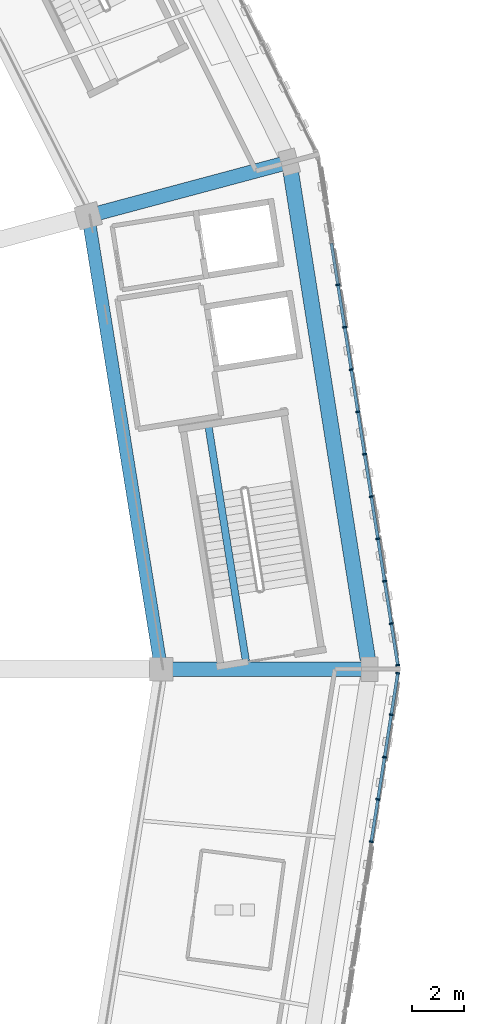
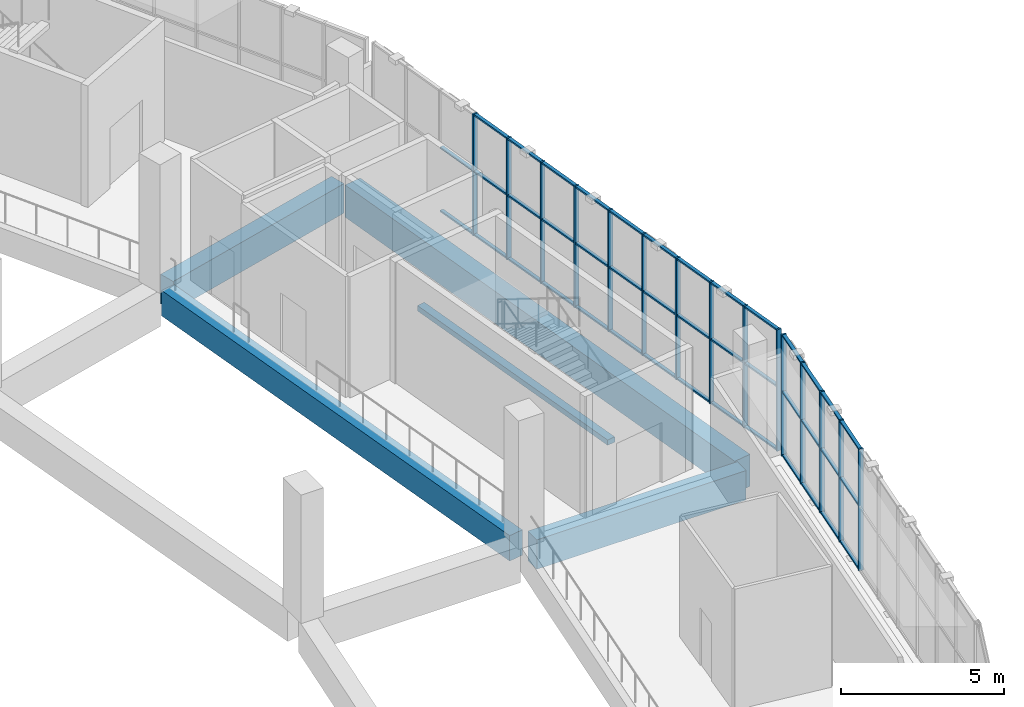
# One storey, part 29 of 108: 56 members, 5 beams, 2 elements without a shape of their own.
"""IFC4 building model written with IfcOpenShell, lengths in metres."""

import ifcopenshell
import ifcopenshell.guid

model = None  # the IFC model being written
_history = None  # IfcOwnerHistory: only IFC2X3 demands one
_inside = {}  # id of a spatial element -> (the spatial element, [elements in it])
_under = {}  # id of a project, library or spatial element -> (it, [spatial elements below it])
_declared = {}  # id of a project -> (the project, [libraries it declares])
_typed = {}  # id of a type object -> (the type object, [elements of that type])
_made_of = {}  # id of a material, layer set ... -> (it, [elements and type objects made of it])


def new_model(schema):
    """Start an empty IFC model of exactly this schema.

    Asked for "IFC4X3", IfcOpenShell would pick the latest addendum, in which some entities
    have other attributes; the version numbers below select the first issue.
    IFC2X3 requires an IfcOwnerHistory on every rooted entity: one is made here for all.
    """
    global model, _history
    if schema == "IFC4X3":
        model = ifcopenshell.file(schema_version=(4, 3, 0, 0))
    else:
        model = ifcopenshell.file(schema=schema)
    _inside.clear()
    _under.clear()
    _declared.clear()
    _typed.clear()
    _made_of.clear()
    _history = None
    if model.schema == "IFC2X3":
        org = make("IfcOrganization", Name="unknown")
        user = make(
            "IfcPersonAndOrganization",
            ThePerson=make("IfcPerson", FamilyName="unknown"),
            TheOrganization=org,
        )
        app = make(
            "IfcApplication",
            ApplicationDeveloper=org,
            Version="unknown",
            ApplicationFullName="unknown",
            ApplicationIdentifier="unknown",
        )
        _history = make(
            "IfcOwnerHistory",
            OwningUser=user,
            OwningApplication=app,
            ChangeAction="ADDED",
            CreationDate=0,
        )
    return model


def make(cls, **values):
    """One entity of the class cls with the attributes given. An attribute that is None is left unset."""
    return model.create_entity(
        cls, **{name: value for name, value in values.items() if value is not None}
    )


def rooted(cls, **values):
    """An entity with a GlobalId (a new one), such as an element, a storey or a relation."""
    return make(cls, GlobalId=ifcopenshell.guid.new(), OwnerHistory=_history, **values)


def si_unit(unit_type, name, prefix=None):
    """IfcSIUnit, for example si_unit("LENGTHUNIT", "METRE", prefix="MILLI")."""
    return make("IfcSIUnit", UnitType=unit_type, Prefix=prefix, Name=name)


def assignment(units):
    """IfcUnitAssignment: the units of a project."""
    return None if units is None else make("IfcUnitAssignment", Units=units)


def point(xyz):
    """IfcCartesianPoint."""
    return None if xyz is None else make("IfcCartesianPoint", Coordinates=xyz)


def direction(xyz):
    """IfcDirection."""
    return None if xyz is None else make("IfcDirection", DirectionRatios=xyz)


def frame(location, z_axis=None, x_axis=None):
    """IfcAxis2Placement3D, a coordinate frame: its origin and axes. An axis left out is left unset."""
    return make(
        "IfcAxis2Placement3D",
        Location=point(location),
        Axis=direction(z_axis),
        RefDirection=direction(x_axis),
    )


def frame_2d(location, x_axis=None):
    """IfcAxis2Placement2D, a coordinate frame in the plane: its origin and x axis."""
    return make(
        "IfcAxis2Placement2D", Location=point(location), RefDirection=direction(x_axis)
    )


def origin():
    """The frame at (0, 0, 0) with its axes left unset."""
    return frame((0.0, 0.0, 0.0))


def origin_2d():
    """The frame at (0, 0) in the plane with its x axis left unset."""
    return frame_2d((0.0, 0.0))


def place(relative_to, where):
    """IfcLocalPlacement: puts the frame where relative to a parent placement (None: the world)."""
    return make(
        "IfcLocalPlacement", PlacementRelTo=relative_to, RelativePlacement=where
    )


def context(
    kind, dimensions, precision=None, world=None, true_north=None, identifier=None
):
    """IfcGeometricRepresentationContext, for example the 3D "Model" context."""
    return make(
        "IfcGeometricRepresentationContext",
        ContextIdentifier=identifier,
        ContextType=kind,
        CoordinateSpaceDimension=dimensions,
        Precision=precision,
        WorldCoordinateSystem=world,
        TrueNorth=true_north,
    )


def subcontext(parent, identifier, kind, view, scale=None):
    """IfcGeometricRepresentationSubContext, for example "Body" below "Model"."""
    return make(
        "IfcGeometricRepresentationSubContext",
        ContextIdentifier=identifier,
        ContextType=kind,
        ParentContext=parent,
        TargetScale=scale,
        TargetView=view,
    )


def project(units=None, contexts=None):
    """IfcProject with its units and contexts."""
    return rooted(
        "IfcProject",
        Name="project",
        RepresentationContexts=contexts,
        UnitsInContext=assignment(units),
    )


def spatial(cls, under=None, at=None, **own):
    """A site, building, storey or space (cls), placed at a placement, below another one or the project."""
    s = rooted(cls, ObjectPlacement=at, **own)
    if under is not None:
        _under.setdefault(under.id(), (under, []))[1].append(s)
    return s


def profile(cls, at=None, kind="AREA", **sizes):
    """A parametric profile (cls). Its sizes go by their IFC names, for example OverallWidth=200.0."""
    return make(cls, ProfileType=kind, Position=at, **sizes)


def rectangle(**sizes):
    """IfcRectangleProfileDef."""
    return profile("IfcRectangleProfileDef", **sizes)


def extrude(swept, where, along, depth):
    """IfcExtrudedAreaSolid: the profile swept, set in the frame where, extruded along a direction by depth."""
    return make(
        "IfcExtrudedAreaSolid",
        SweptArea=swept,
        Position=where,
        ExtrudedDirection=direction(along),
        Depth=depth,
    )


def shape(context_of_items, identifier, shape_type, items):
    """IfcShapeRepresentation: the items that make up one representation, for example the "Body"."""
    return make(
        "IfcShapeRepresentation",
        ContextOfItems=context_of_items,
        RepresentationIdentifier=identifier,
        RepresentationType=shape_type,
        Items=items,
    )


def material(Name=None, Category=None):
    """IfcMaterial."""
    return make("IfcMaterial", Name=Name, Category=Category)


def material_profile(
    of_material, cross_section, Name=None, Category=None, Priority=None
):
    """IfcMaterialProfile: a cross section and its material."""
    return make(
        "IfcMaterialProfile",
        Name=Name,
        Material=of_material,
        Profile=cross_section,
        Priority=Priority,
        Category=Category,
    )


def profile_set(profiles, Name=None, composite=None):
    """IfcMaterialProfileSet."""
    return make(
        "IfcMaterialProfileSet",
        Name=Name,
        MaterialProfiles=profiles,
        CompositeProfile=composite,
    )


def made_of(thing, what):
    """Note that an element or type object is made of a material, layer set ...; save() writes the relation."""
    if what is not None:
        _made_of.setdefault(what.id(), (what, []))[1].append(thing)
    return thing


def type_object(cls, material=None, **own):
    """A type object (cls), such as IfcWallType, which elements share."""
    return made_of(rooted(cls, **own), material)


def element(
    cls,
    number,
    at=None,
    inside=None,
    cuts=None,
    type_object=None,
    material=None,
    context=None,
    identifier="Body",
    shape_type=None,
    held_by="IfcProductDefinitionShape",
    body=None,
    shapes=None,
    **own,
):
    """One element of the class cls, such as IfcWall. Its Tag is "e" and its number.

    at: its placement. inside: the storey or other place that contains it. cuts: it is an
    opening in that element (IfcRelVoidsElement). A single representation is given by context,
    identifier, shape_type and body (its items); several are given by shapes. held_by: the class
    of the entity that holds the representations. save() writes the other relations.
    """
    e = rooted(cls, Tag="e%d" % number, ObjectPlacement=at, **own)
    if body is not None:
        shapes = [shape(context, identifier, shape_type, body)]
    if shapes is not None:
        e.Representation = make(held_by, Representations=shapes)
    if inside is not None:
        _inside.setdefault(inside.id(), (inside, []))[1].append(e)
    if cuts is not None:
        rooted(
            "IfcRelVoidsElement", RelatingBuildingElement=cuts, RelatedOpeningElement=e
        )
    if type_object is not None:
        _typed.setdefault(type_object.id(), (type_object, []))[1].append(e)
    return made_of(e, material)


def aggregate(whole, parts):
    """IfcRelAggregates: a whole, such as a stair, and the parts it consists of."""
    return rooted("IfcRelAggregates", RelatingObject=whole, RelatedObjects=parts)


def save(model, path):
    """Write the relations noted so far, then the file.

    IfcRelAggregates (storeys below a building ...), IfcRelContainedInSpatialStructure (elements
    in a storey), IfcRelDefinesByType, IfcRelAssociatesMaterial and IfcRelDeclares: one each for
    every whole, place, type object, material and project.
    """
    for whole, parts in _under.values():
        aggregate(whole, parts)
    for where, things in _inside.values():
        rooted(
            "IfcRelContainedInSpatialStructure",
            RelatedElements=things,
            RelatingStructure=where,
        )
    for kind, things in _typed.values():
        rooted("IfcRelDefinesByType", RelatedObjects=things, RelatingType=kind)
    for what, things in _made_of.values():
        rooted("IfcRelAssociatesMaterial", RelatedObjects=things, RelatingMaterial=what)
    for by, libraries in _declared.values():
        rooted("IfcRelDeclares", RelatingContext=by, RelatedDefinitions=libraries)
    model.write(path)


model = new_model("IFC4")

# Units and contexts
model_context = context("Model", 3, precision=1e-05, world=origin(), true_north=direction((0.0, 1.0)))
body_context = subcontext(model_context, "Body", "Model", "MODEL_VIEW")
ifc_project = project(units=[si_unit("LENGTHUNIT", "METRE"), si_unit("AREAUNIT", "SQUARE_METRE"), si_unit("VOLUMEUNIT", "CUBIC_METRE"), si_unit("PLANEANGLEUNIT", "RADIAN"), si_unit("MASSUNIT", "GRAM", prefix="KILO")], contexts=[model_context])

# Site, building, storey
site_placement = place(None, origin())
site = spatial("IfcSite", under=ifc_project, at=site_placement, CompositionType="ELEMENT")
building_placement = place(site_placement, origin())
building = spatial("IfcBuilding", under=site, at=building_placement, Name="Zevraka Park Crest Stadium", CompositionType="ELEMENT")
storey_placement = place(building_placement, frame((0.0, 0.0, 19.800048828125)))
storey = spatial("IfcBuildingStorey", under=building, at=storey_placement, Name="L04", CompositionType="ELEMENT", Elevation=19.800048828125)

# Beams
ifc_material_1 = material(Name="Concrete C40/50", Category="concrete")
ifc_material_profile_1 = material_profile(ifc_material_1, rectangle(XDim=0.550048828125, YDim=1.10009765625, at=origin_2d()), Name="RC 1100x550")
ifc_profile_set_1 = profile_set([ifc_material_profile_1], Name="Concrete C40/50")
beam_type_1 = type_object("IfcBeamType", Name="BG02", PredefinedType="BEAM", material=ifc_profile_set_1)
beam_1_placement = place(storey_placement, frame((194.60009765625, 92.0, -0.56005859375), z_axis=(1.0, 0.0, 0.0), x_axis=(0.0, 1.0, 0.0)))
element("IfcBeam", 1, at=beam_1_placement, inside=storey, type_object=beam_type_1, Name="Radial Girder BG02 L04-CD-00", PredefinedType="BEAM", context=body_context, shape_type="SweptSolid", body=[
    extrude(rectangle(XDim=0.550048828125, YDim=1.10009765625, at=origin_2d()), origin(), (0.0, 0.0, 1.0), 7.39990234375),
])
beam_2_placement = place(storey_placement, frame((191.785888671875, 109.4970703125, -0.56005859375), z_axis=(0.965968812251, 0.258658565986, 0.0), x_axis=(-0.258658565986, 0.965968812251, 0.0)))
element("IfcBeam", 2, at=beam_2_placement, inside=storey, type_object=beam_type_1, Name="Radial Girder BG02 L04-CD-01", PredefinedType="BEAM", context=body_context, shape_type="SweptSolid", body=[
    extrude(rectangle(XDim=0.550048828125, YDim=1.10009765625, at=origin_2d()), origin(), (0.0, 0.0, 1.0), 7.39892578125),
])

# Curtain wall, members
ifc_material_2 = material(Name="Anodised architectural aluminium and laminated safety glass", Category="aluminium")
curtain_wall_type = type_object("IfcCurtainWallType", Name="CW16", PredefinedType="NOTDEFINED", material=ifc_material_2)
curtain_wall_1_placement = place(storey_placement, origin())
curtain_wall_1 = element("IfcCurtainWall", 3, at=curtain_wall_1_placement, inside=storey, type_object=curtain_wall_type, Name="Unitised Ring Curtain Wall CW16 L04-00", PredefinedType="NOTDEFINED")
ifc_material_3 = material(Name="Anodised architectural aluminium", Category="aluminium")
ifc_material_profile_2 = material_profile(ifc_material_3, rectangle(XDim=0.159912109375, YDim=0.06005859375, at=origin_2d()), Name="ALU MULLION 160x60")
ifc_profile_set_2 = profile_set([ifc_material_profile_2], Name="Anodised architectural aluminium")
member_type_1 = type_object("IfcMemberType", Name="CM01", PredefinedType="MULLION", material=ifc_profile_set_2)
member_1_placement = place(storey_placement, frame((203.394287109375, 92.155517578125, 0.0), z_axis=(0.0, 0.0, 1.0), x_axis=(-0.987829746281, -0.155539038066, 0.0)))
member_1 = element("IfcMember", 4, at=member_1_placement, type_object=member_type_1, Name="CW16 mullion 1", PredefinedType="MULLION", context=body_context, shape_type="SweptSolid", body=[
    extrude(rectangle(XDim=0.159912109375, YDim=0.06005859375, at=origin_2d()), origin(), (0.0, 0.0, 1.0), 4.5400390625),
])
member_2_placement = place(storey_placement, frame((203.142822265625, 93.7529296875, 0.0), z_axis=(0.0, 0.0, 1.0), x_axis=(-0.987829746281, -0.155539038066, 0.0)))
member_2 = element("IfcMember", 5, at=member_2_placement, type_object=member_type_1, Name="CW16 mullion 2", PredefinedType="MULLION", context=body_context, shape_type="SweptSolid", body=[
    extrude(rectangle(XDim=0.159912109375, YDim=0.06005859375, at=origin_2d()), origin(), (0.0, 0.0, 1.0), 4.5400390625),
])
member_3_placement = place(storey_placement, frame((202.88671875, 95.3798828125, 0.0), z_axis=(0.0, 0.0, 1.0), x_axis=(-0.987829746281, -0.155539038066, 0.0)))
member_3 = element("IfcMember", 6, at=member_3_placement, type_object=member_type_1, Name="CW16 mullion 3", PredefinedType="MULLION", context=body_context, shape_type="SweptSolid", body=[
    extrude(rectangle(XDim=0.159912109375, YDim=0.06005859375, at=origin_2d()), origin(), (0.0, 0.0, 1.0), 4.5400390625),
])
member_4_placement = place(storey_placement, frame((202.630615234375, 97.0068359375, 0.0), z_axis=(0.0, 0.0, 1.0), x_axis=(-0.987829746281, -0.155539038066, 0.0)))
member_4 = element("IfcMember", 7, at=member_4_placement, type_object=member_type_1, Name="CW16 mullion 4", PredefinedType="MULLION", context=body_context, shape_type="SweptSolid", body=[
    extrude(rectangle(XDim=0.159912109375, YDim=0.06005859375, at=origin_2d()), origin(), (0.0, 0.0, 1.0), 4.5400390625),
])
member_5_placement = place(storey_placement, frame((202.374267578125, 98.633544921875, 0.0), z_axis=(0.0, 0.0, 1.0), x_axis=(-0.987829746281, -0.155539038066, 0.0)))
member_5 = element("IfcMember", 8, at=member_5_placement, type_object=member_type_1, Name="CW16 mullion 5", PredefinedType="MULLION", context=body_context, shape_type="SweptSolid", body=[
    extrude(rectangle(XDim=0.159912109375, YDim=0.06005859375, at=origin_2d()), origin(), (0.0, 0.0, 1.0), 4.5400390625),
])
member_6_placement = place(storey_placement, frame((202.1181640625, 100.260498046875, 0.0), z_axis=(0.0, 0.0, 1.0), x_axis=(-0.987829746281, -0.155539038066, 0.0)))
member_6 = element("IfcMember", 9, at=member_6_placement, type_object=member_type_1, Name="CW16 mullion 6", PredefinedType="MULLION", context=body_context, shape_type="SweptSolid", body=[
    extrude(rectangle(XDim=0.159912109375, YDim=0.06005859375, at=origin_2d()), origin(), (0.0, 0.0, 1.0), 4.5400390625),
])
member_7_placement = place(storey_placement, frame((201.862060546875, 101.887451171875, 0.0), z_axis=(0.0, 0.0, 1.0), x_axis=(-0.987829746281, -0.155539038066, 0.0)))
member_7 = element("IfcMember", 10, at=member_7_placement, type_object=member_type_1, Name="CW16 mullion 7", PredefinedType="MULLION", context=body_context, shape_type="SweptSolid", body=[
    extrude(rectangle(XDim=0.159912109375, YDim=0.06005859375, at=origin_2d()), origin(), (0.0, 0.0, 1.0), 4.5400390625),
])
member_8_placement = place(storey_placement, frame((201.605712890625, 103.514404296875, 0.0), z_axis=(0.0, 0.0, 1.0), x_axis=(-0.987829746281, -0.155539038066, 0.0)))
member_8 = element("IfcMember", 11, at=member_8_placement, type_object=member_type_1, Name="CW16 mullion 8", PredefinedType="MULLION", context=body_context, shape_type="SweptSolid", body=[
    extrude(rectangle(XDim=0.159912109375, YDim=0.06005859375, at=origin_2d()), origin(), (0.0, 0.0, 1.0), 4.5400390625),
])
member_9_placement = place(storey_placement, frame((201.349609375, 105.141357421875, 0.0), z_axis=(0.0, 0.0, 1.0), x_axis=(-0.987829746281, -0.155539038066, 0.0)))
member_9 = element("IfcMember", 12, at=member_9_placement, type_object=member_type_1, Name="CW16 mullion 9", PredefinedType="MULLION", context=body_context, shape_type="SweptSolid", body=[
    extrude(rectangle(XDim=0.159912109375, YDim=0.06005859375, at=origin_2d()), origin(), (0.0, 0.0, 1.0), 4.5400390625),
])
member_10_placement = place(storey_placement, frame((201.093505859375, 106.768310546875, 0.0), z_axis=(0.0, 0.0, 1.0), x_axis=(-0.987829746281, -0.155539038066, 0.0)))
member_10 = element("IfcMember", 13, at=member_10_placement, type_object=member_type_1, Name="CW16 mullion 10", PredefinedType="MULLION", context=body_context, shape_type="SweptSolid", body=[
    extrude(rectangle(XDim=0.159912109375, YDim=0.06005859375, at=origin_2d()), origin(), (0.0, 0.0, 1.0), 4.5400390625),
])

curtain_wall_2_placement = place(storey_placement, origin())
curtain_wall_2 = element("IfcCurtainWall", 14, at=curtain_wall_2_placement, inside=storey, type_object=curtain_wall_type, Name="Unitised Ring Curtain Wall CW16 L04-23", PredefinedType="NOTDEFINED")
member_11_placement = place(storey_placement, frame((202.374267578125, 85.366455078125, 0.0), z_axis=(0.0, 0.0, 1.0), x_axis=(-0.987829746281, 0.155539038066, 0.0)))
member_11 = element("IfcMember", 15, at=member_11_placement, type_object=member_type_1, Name="CW16 mullion 9", PredefinedType="MULLION", context=body_context, shape_type="SweptSolid", body=[
    extrude(rectangle(XDim=0.159912109375, YDim=0.06005859375, at=origin_2d()), origin(), (0.0, 0.0, 1.0), 4.5400390625),
])
member_12_placement = place(storey_placement, frame((202.630615234375, 86.9931640625, 0.0), z_axis=(0.0, 0.0, 1.0), x_axis=(-0.987829746281, 0.155539038066, 0.0)))
member_12 = element("IfcMember", 16, at=member_12_placement, type_object=member_type_1, Name="CW16 mullion 10", PredefinedType="MULLION", context=body_context, shape_type="SweptSolid", body=[
    extrude(rectangle(XDim=0.159912109375, YDim=0.06005859375, at=origin_2d()), origin(), (0.0, 0.0, 1.0), 4.5400390625),
])
member_13_placement = place(storey_placement, frame((202.88671875, 88.6201171875, 0.0), z_axis=(0.0, 0.0, 1.0), x_axis=(-0.987829746281, 0.155539038066, 0.0)))
member_13 = element("IfcMember", 17, at=member_13_placement, type_object=member_type_1, Name="CW16 mullion 11", PredefinedType="MULLION", context=body_context, shape_type="SweptSolid", body=[
    extrude(rectangle(XDim=0.159912109375, YDim=0.06005859375, at=origin_2d()), origin(), (0.0, 0.0, 1.0), 4.5400390625),
])
member_14_placement = place(storey_placement, frame((203.142822265625, 90.2470703125, 0.0), z_axis=(0.0, 0.0, 1.0), x_axis=(-0.987829746281, 0.155539038066, 0.0)))
member_14 = element("IfcMember", 18, at=member_14_placement, type_object=member_type_1, Name="CW16 mullion 12", PredefinedType="MULLION", context=body_context, shape_type="SweptSolid", body=[
    extrude(rectangle(XDim=0.159912109375, YDim=0.06005859375, at=origin_2d()), origin(), (0.0, 0.0, 1.0), 4.5400390625),
])
member_15_placement = place(storey_placement, frame((203.394287109375, 91.844482421875, 0.0), z_axis=(0.0, 0.0, 1.0), x_axis=(-0.987829746281, 0.155539038066, 0.0)))
member_15 = element("IfcMember", 19, at=member_15_placement, type_object=member_type_1, Name="CW16 mullion 13", PredefinedType="MULLION", context=body_context, shape_type="SweptSolid", body=[
    extrude(rectangle(XDim=0.159912109375, YDim=0.06005859375, at=origin_2d()), origin(), (0.0, 0.0, 1.0), 4.5400390625),
])

# Member
ifc_material_4 = material(Name="Anodised architectural aluminium", Category="aluminium")
ifc_material_profile_3 = material_profile(ifc_material_4, rectangle(XDim=0.1201171875, YDim=0.06005859375, at=origin_2d()), Name="ALU TRANSOM 120x60")
ifc_profile_set_3 = profile_set([ifc_material_profile_3], Name="Anodised architectural aluminium")
member_type_2 = type_object("IfcMemberType", Name="CT01", PredefinedType="USERDEFINED", material=ifc_profile_set_3)
member_16_placement = place(storey_placement, frame((203.3896484375, 92.185302734375, 0.030029296875), z_axis=(-0.155543865752, 0.987828986124, 0.0), x_axis=(-0.987828986124, -0.155543865752, 0.0)))
member_16 = element("IfcMember", 20, at=member_16_placement, type_object=member_type_2, Name="CW16 transom 1.1", ObjectType="TRANSOM", PredefinedType="USERDEFINED", context=body_context, shape_type="SweptSolid", body=[
    extrude(rectangle(XDim=0.1201171875, YDim=0.06005859375, at=origin_2d()), origin(), (0.0, 0.0, 1.0), 1.55712890625),
])

member_17_placement = place(storey_placement, frame((203.3896484375, 92.185302734375, 2.39990234375), z_axis=(-0.155543865752, 0.987828986124, 0.0), x_axis=(-0.987828986124, -0.155543865752, 0.0)))
member_17 = element("IfcMember", 21, at=member_17_placement, type_object=member_type_2, Name="CW16 transom 1.2", ObjectType="TRANSOM", PredefinedType="USERDEFINED", context=body_context, shape_type="SweptSolid", body=[
    extrude(rectangle(XDim=0.1201171875, YDim=0.06005859375, at=origin_2d()), origin(), (0.0, 0.0, 1.0), 1.55712890625),
])

member_18_placement = place(storey_placement, frame((203.3896484375, 92.185302734375, 4.510009765625), z_axis=(-0.155543865752, 0.987828986124, 0.0), x_axis=(-0.987828986124, -0.155543865752, 0.0)))
member_18 = element("IfcMember", 22, at=member_18_placement, type_object=member_type_2, Name="CW16 transom 1.3", ObjectType="TRANSOM", PredefinedType="USERDEFINED", context=body_context, shape_type="SweptSolid", body=[
    extrude(rectangle(XDim=0.1201171875, YDim=0.06005859375, at=origin_2d()), origin(), (0.0, 0.0, 1.0), 1.55712890625),
])

member_19_placement = place(storey_placement, frame((203.13818359375, 93.782470703125, 0.030029296875), z_axis=(-0.155535954577, 0.987830231788, 0.0), x_axis=(-0.987830231788, -0.155535954577, 0.0)))
member_19 = element("IfcMember", 23, at=member_19_placement, type_object=member_type_2, Name="CW16 transom 2.1", ObjectType="TRANSOM", PredefinedType="USERDEFINED", context=body_context, shape_type="SweptSolid", body=[
    extrude(rectangle(XDim=0.1201171875, YDim=0.06005859375, at=origin_2d()), origin(), (0.0, 0.0, 1.0), 1.5869140625),
])

member_20_placement = place(storey_placement, frame((203.13818359375, 93.782470703125, 2.39990234375), z_axis=(-0.155535954577, 0.987830231788, 0.0), x_axis=(-0.987830231788, -0.155535954577, 0.0)))
member_20 = element("IfcMember", 24, at=member_20_placement, type_object=member_type_2, Name="CW16 transom 2.2", ObjectType="TRANSOM", PredefinedType="USERDEFINED", context=body_context, shape_type="SweptSolid", body=[
    extrude(rectangle(XDim=0.1201171875, YDim=0.06005859375, at=origin_2d()), origin(), (0.0, 0.0, 1.0), 1.5869140625),
])

member_21_placement = place(storey_placement, frame((203.13818359375, 93.782470703125, 4.510009765625), z_axis=(-0.155535954577, 0.987830231788, 0.0), x_axis=(-0.987830231788, -0.155535954577, 0.0)))
member_21 = element("IfcMember", 25, at=member_21_placement, type_object=member_type_2, Name="CW16 transom 2.3", ObjectType="TRANSOM", PredefinedType="USERDEFINED", context=body_context, shape_type="SweptSolid", body=[
    extrude(rectangle(XDim=0.1201171875, YDim=0.06005859375, at=origin_2d()), origin(), (0.0, 0.0, 1.0), 1.5869140625),
])

member_22_placement = place(storey_placement, frame((202.882080078125, 95.409423828125, 0.030029296875), z_axis=(-0.155535954577, 0.987830231788, 0.0), x_axis=(-0.987830231788, -0.155535954577, 0.0)))
member_22 = element("IfcMember", 26, at=member_22_placement, type_object=member_type_2, Name="CW16 transom 3.1", ObjectType="TRANSOM", PredefinedType="USERDEFINED", context=body_context, shape_type="SweptSolid", body=[
    extrude(rectangle(XDim=0.1201171875, YDim=0.06005859375, at=origin_2d()), origin(), (0.0, 0.0, 1.0), 1.5869140625),
])

member_23_placement = place(storey_placement, frame((202.882080078125, 95.409423828125, 2.39990234375), z_axis=(-0.155535954577, 0.987830231788, 0.0), x_axis=(-0.987830231788, -0.155535954577, 0.0)))
member_23 = element("IfcMember", 27, at=member_23_placement, type_object=member_type_2, Name="CW16 transom 3.2", ObjectType="TRANSOM", PredefinedType="USERDEFINED", context=body_context, shape_type="SweptSolid", body=[
    extrude(rectangle(XDim=0.1201171875, YDim=0.06005859375, at=origin_2d()), origin(), (0.0, 0.0, 1.0), 1.5869140625),
])

member_24_placement = place(storey_placement, frame((202.882080078125, 95.409423828125, 4.510009765625), z_axis=(-0.155535954577, 0.987830231788, 0.0), x_axis=(-0.987830231788, -0.155535954577, 0.0)))
member_24 = element("IfcMember", 28, at=member_24_placement, type_object=member_type_2, Name="CW16 transom 3.3", ObjectType="TRANSOM", PredefinedType="USERDEFINED", context=body_context, shape_type="SweptSolid", body=[
    extrude(rectangle(XDim=0.1201171875, YDim=0.06005859375, at=origin_2d()), origin(), (0.0, 0.0, 1.0), 1.5869140625),
])

member_25_placement = place(storey_placement, frame((202.625732421875, 97.036376953125, 0.030029296875), z_axis=(-0.155535954577, 0.987830231788, 0.0), x_axis=(-0.987830231788, -0.155535954577, 0.0)))
member_25 = element("IfcMember", 29, at=member_25_placement, type_object=member_type_2, Name="CW16 transom 4.1", ObjectType="TRANSOM", PredefinedType="USERDEFINED", context=body_context, shape_type="SweptSolid", body=[
    extrude(rectangle(XDim=0.1201171875, YDim=0.06005859375, at=origin_2d()), origin(), (0.0, 0.0, 1.0), 1.5869140625),
])

member_26_placement = place(storey_placement, frame((202.625732421875, 97.036376953125, 2.39990234375), z_axis=(-0.155535954577, 0.987830231788, 0.0), x_axis=(-0.987830231788, -0.155535954577, 0.0)))
member_26 = element("IfcMember", 30, at=member_26_placement, type_object=member_type_2, Name="CW16 transom 4.2", ObjectType="TRANSOM", PredefinedType="USERDEFINED", context=body_context, shape_type="SweptSolid", body=[
    extrude(rectangle(XDim=0.1201171875, YDim=0.06005859375, at=origin_2d()), origin(), (0.0, 0.0, 1.0), 1.5869140625),
])

member_27_placement = place(storey_placement, frame((202.625732421875, 97.036376953125, 4.510009765625), z_axis=(-0.155535954577, 0.987830231788, 0.0), x_axis=(-0.987830231788, -0.155535954577, 0.0)))
member_27 = element("IfcMember", 31, at=member_27_placement, type_object=member_type_2, Name="CW16 transom 4.3", ObjectType="TRANSOM", PredefinedType="USERDEFINED", context=body_context, shape_type="SweptSolid", body=[
    extrude(rectangle(XDim=0.1201171875, YDim=0.06005859375, at=origin_2d()), origin(), (0.0, 0.0, 1.0), 1.5869140625),
])

member_28_placement = place(storey_placement, frame((202.36962890625, 98.663330078125, 0.030029296875), z_axis=(-0.155535954577, 0.987830231788, 0.0), x_axis=(-0.987830231788, -0.155535954577, 0.0)))
member_28 = element("IfcMember", 32, at=member_28_placement, type_object=member_type_2, Name="CW16 transom 5.1", ObjectType="TRANSOM", PredefinedType="USERDEFINED", context=body_context, shape_type="SweptSolid", body=[
    extrude(rectangle(XDim=0.1201171875, YDim=0.06005859375, at=origin_2d()), origin(), (0.0, 0.0, 1.0), 1.5869140625),
])

member_29_placement = place(storey_placement, frame((202.36962890625, 98.663330078125, 2.39990234375), z_axis=(-0.155535954577, 0.987830231788, 0.0), x_axis=(-0.987830231788, -0.155535954577, 0.0)))
member_29 = element("IfcMember", 33, at=member_29_placement, type_object=member_type_2, Name="CW16 transom 5.2", ObjectType="TRANSOM", PredefinedType="USERDEFINED", context=body_context, shape_type="SweptSolid", body=[
    extrude(rectangle(XDim=0.1201171875, YDim=0.06005859375, at=origin_2d()), origin(), (0.0, 0.0, 1.0), 1.5869140625),
])

member_30_placement = place(storey_placement, frame((202.36962890625, 98.663330078125, 4.510009765625), z_axis=(-0.155535954577, 0.987830231788, 0.0), x_axis=(-0.987830231788, -0.155535954577, 0.0)))
member_30 = element("IfcMember", 34, at=member_30_placement, type_object=member_type_2, Name="CW16 transom 5.3", ObjectType="TRANSOM", PredefinedType="USERDEFINED", context=body_context, shape_type="SweptSolid", body=[
    extrude(rectangle(XDim=0.1201171875, YDim=0.06005859375, at=origin_2d()), origin(), (0.0, 0.0, 1.0), 1.5869140625),
])

member_31_placement = place(storey_placement, frame((202.113525390625, 100.290283203125, 0.030029296875), z_axis=(-0.155535954577, 0.987830231788, 0.0), x_axis=(-0.987830231788, -0.155535954577, 0.0)))
member_31 = element("IfcMember", 35, at=member_31_placement, type_object=member_type_2, Name="CW16 transom 6.1", ObjectType="TRANSOM", PredefinedType="USERDEFINED", context=body_context, shape_type="SweptSolid", body=[
    extrude(rectangle(XDim=0.1201171875, YDim=0.06005859375, at=origin_2d()), origin(), (0.0, 0.0, 1.0), 1.5869140625),
])

member_32_placement = place(storey_placement, frame((202.113525390625, 100.290283203125, 2.39990234375), z_axis=(-0.155535954577, 0.987830231788, 0.0), x_axis=(-0.987830231788, -0.155535954577, 0.0)))
member_32 = element("IfcMember", 36, at=member_32_placement, type_object=member_type_2, Name="CW16 transom 6.2", ObjectType="TRANSOM", PredefinedType="USERDEFINED", context=body_context, shape_type="SweptSolid", body=[
    extrude(rectangle(XDim=0.1201171875, YDim=0.06005859375, at=origin_2d()), origin(), (0.0, 0.0, 1.0), 1.5869140625),
])

member_33_placement = place(storey_placement, frame((202.113525390625, 100.290283203125, 4.510009765625), z_axis=(-0.155535954577, 0.987830231788, 0.0), x_axis=(-0.987830231788, -0.155535954577, 0.0)))
member_33 = element("IfcMember", 37, at=member_33_placement, type_object=member_type_2, Name="CW16 transom 6.3", ObjectType="TRANSOM", PredefinedType="USERDEFINED", context=body_context, shape_type="SweptSolid", body=[
    extrude(rectangle(XDim=0.1201171875, YDim=0.06005859375, at=origin_2d()), origin(), (0.0, 0.0, 1.0), 1.5869140625),
])

member_34_placement = place(storey_placement, frame((201.857421875, 101.917236328125, 0.030029296875), z_axis=(-0.155535954577, 0.987830231788, 0.0), x_axis=(-0.987830231788, -0.155535954577, 0.0)))
member_34 = element("IfcMember", 38, at=member_34_placement, type_object=member_type_2, Name="CW16 transom 7.1", ObjectType="TRANSOM", PredefinedType="USERDEFINED", context=body_context, shape_type="SweptSolid", body=[
    extrude(rectangle(XDim=0.1201171875, YDim=0.06005859375, at=origin_2d()), origin(), (0.0, 0.0, 1.0), 1.5869140625),
])

member_35_placement = place(storey_placement, frame((201.857421875, 101.917236328125, 2.39990234375), z_axis=(-0.155535954577, 0.987830231788, 0.0), x_axis=(-0.987830231788, -0.155535954577, 0.0)))
member_35 = element("IfcMember", 39, at=member_35_placement, type_object=member_type_2, Name="CW16 transom 7.2", ObjectType="TRANSOM", PredefinedType="USERDEFINED", context=body_context, shape_type="SweptSolid", body=[
    extrude(rectangle(XDim=0.1201171875, YDim=0.06005859375, at=origin_2d()), origin(), (0.0, 0.0, 1.0), 1.5869140625),
])

member_36_placement = place(storey_placement, frame((201.857421875, 101.917236328125, 4.510009765625), z_axis=(-0.155535954577, 0.987830231788, 0.0), x_axis=(-0.987830231788, -0.155535954577, 0.0)))
member_36 = element("IfcMember", 40, at=member_36_placement, type_object=member_type_2, Name="CW16 transom 7.3", ObjectType="TRANSOM", PredefinedType="USERDEFINED", context=body_context, shape_type="SweptSolid", body=[
    extrude(rectangle(XDim=0.1201171875, YDim=0.06005859375, at=origin_2d()), origin(), (0.0, 0.0, 1.0), 1.5869140625),
])

member_37_placement = place(storey_placement, frame((201.60107421875, 103.5439453125, 0.030029296875), z_axis=(-0.155512321102, 0.987833952639, 0.0), x_axis=(-0.987833952639, -0.155512321102, 0.0)))
member_37 = element("IfcMember", 41, at=member_37_placement, type_object=member_type_2, Name="CW16 transom 8.1", ObjectType="TRANSOM", PredefinedType="USERDEFINED", context=body_context, shape_type="SweptSolid", body=[
    extrude(rectangle(XDim=0.1201171875, YDim=0.06005859375, at=origin_2d()), origin(), (0.0, 0.0, 1.0), 1.587158203125),
])

member_38_placement = place(storey_placement, frame((201.60107421875, 103.5439453125, 2.39990234375), z_axis=(-0.155512321102, 0.987833952639, 0.0), x_axis=(-0.987833952639, -0.155512321102, 0.0)))
member_38 = element("IfcMember", 42, at=member_38_placement, type_object=member_type_2, Name="CW16 transom 8.2", ObjectType="TRANSOM", PredefinedType="USERDEFINED", context=body_context, shape_type="SweptSolid", body=[
    extrude(rectangle(XDim=0.1201171875, YDim=0.06005859375, at=origin_2d()), origin(), (0.0, 0.0, 1.0), 1.587158203125),
])

member_39_placement = place(storey_placement, frame((201.60107421875, 103.5439453125, 4.510009765625), z_axis=(-0.155512321102, 0.987833952639, 0.0), x_axis=(-0.987833952639, -0.155512321102, 0.0)))
member_39 = element("IfcMember", 43, at=member_39_placement, type_object=member_type_2, Name="CW16 transom 8.3", ObjectType="TRANSOM", PredefinedType="USERDEFINED", context=body_context, shape_type="SweptSolid", body=[
    extrude(rectangle(XDim=0.1201171875, YDim=0.06005859375, at=origin_2d()), origin(), (0.0, 0.0, 1.0), 1.587158203125),
])

member_40_placement = place(storey_placement, frame((201.344970703125, 105.1708984375, 0.030029296875), z_axis=(-0.155535954577, 0.987830231788, 0.0), x_axis=(-0.987830231788, -0.155535954577, 0.0)))
member_40 = element("IfcMember", 44, at=member_40_placement, type_object=member_type_2, Name="CW16 transom 9.1", ObjectType="TRANSOM", PredefinedType="USERDEFINED", context=body_context, shape_type="SweptSolid", body=[
    extrude(rectangle(XDim=0.1201171875, YDim=0.06005859375, at=origin_2d()), origin(), (0.0, 0.0, 1.0), 1.5869140625),
])

member_41_placement = place(storey_placement, frame((201.344970703125, 105.1708984375, 2.39990234375), z_axis=(-0.155535954577, 0.987830231788, 0.0), x_axis=(-0.987830231788, -0.155535954577, 0.0)))
member_41 = element("IfcMember", 45, at=member_41_placement, type_object=member_type_2, Name="CW16 transom 9.2", ObjectType="TRANSOM", PredefinedType="USERDEFINED", context=body_context, shape_type="SweptSolid", body=[
    extrude(rectangle(XDim=0.1201171875, YDim=0.06005859375, at=origin_2d()), origin(), (0.0, 0.0, 1.0), 1.5869140625),
])

member_42_placement = place(storey_placement, frame((201.344970703125, 105.1708984375, 4.510009765625), z_axis=(-0.155535954577, 0.987830231788, 0.0), x_axis=(-0.987830231788, -0.155535954577, 0.0)))
member_42 = element("IfcMember", 46, at=member_42_placement, type_object=member_type_2, Name="CW16 transom 9.3", ObjectType="TRANSOM", PredefinedType="USERDEFINED", context=body_context, shape_type="SweptSolid", body=[
    extrude(rectangle(XDim=0.1201171875, YDim=0.06005859375, at=origin_2d()), origin(), (0.0, 0.0, 1.0), 1.5869140625),
])

member_43_placement = place(storey_placement, frame((201.0888671875, 106.7978515625, 0.030029296875), z_axis=(-0.155535954577, 0.987830231788, 0.0), x_axis=(-0.987830231788, -0.155535954577, 0.0)))
member_43 = element("IfcMember", 47, at=member_43_placement, type_object=member_type_2, Name="CW16 transom 10.1", ObjectType="TRANSOM", PredefinedType="USERDEFINED", context=body_context, shape_type="SweptSolid", body=[
    extrude(rectangle(XDim=0.1201171875, YDim=0.06005859375, at=origin_2d()), origin(), (0.0, 0.0, 1.0), 1.5869140625),
])

member_44_placement = place(storey_placement, frame((201.0888671875, 106.7978515625, 2.39990234375), z_axis=(-0.155535954577, 0.987830231788, 0.0), x_axis=(-0.987830231788, -0.155535954577, 0.0)))
member_44 = element("IfcMember", 48, at=member_44_placement, type_object=member_type_2, Name="CW16 transom 10.2", ObjectType="TRANSOM", PredefinedType="USERDEFINED", context=body_context, shape_type="SweptSolid", body=[
    extrude(rectangle(XDim=0.1201171875, YDim=0.06005859375, at=origin_2d()), origin(), (0.0, 0.0, 1.0), 1.5869140625),
])

aggregate(curtain_wall_1, [member_1, member_2, member_3, member_4, member_5, member_6, member_7, member_8, member_9, member_10, member_16, member_17, member_18, member_19, member_20, member_21, member_22, member_23, member_24, member_25, member_26, member_27, member_28, member_29, member_30, member_31, member_32, member_33, member_34, member_35, member_36, member_37, member_38, member_39, member_40, member_41, member_42, member_43, member_44])

member_45_placement = place(storey_placement, frame((202.37890625, 85.39599609375, 0.030029296875), z_axis=(0.155535954577, 0.987830231788, 0.0), x_axis=(-0.987830231788, 0.155535954577, 0.0)))
member_45 = element("IfcMember", 49, at=member_45_placement, type_object=member_type_2, Name="CW16 transom 9.1", ObjectType="TRANSOM", PredefinedType="USERDEFINED", context=body_context, shape_type="SweptSolid", body=[
    extrude(rectangle(XDim=0.1201171875, YDim=0.06005859375, at=origin_2d()), origin(), (0.0, 0.0, 1.0), 1.5869140625),
])

member_46_placement = place(storey_placement, frame((202.37890625, 85.39599609375, 2.39990234375), z_axis=(0.155535954577, 0.987830231788, 0.0), x_axis=(-0.987830231788, 0.155535954577, 0.0)))
member_46 = element("IfcMember", 50, at=member_46_placement, type_object=member_type_2, Name="CW16 transom 9.2", ObjectType="TRANSOM", PredefinedType="USERDEFINED", context=body_context, shape_type="SweptSolid", body=[
    extrude(rectangle(XDim=0.1201171875, YDim=0.06005859375, at=origin_2d()), origin(), (0.0, 0.0, 1.0), 1.5869140625),
])

member_47_placement = place(storey_placement, frame((202.37890625, 85.39599609375, 4.510009765625), z_axis=(0.155535954577, 0.987830231788, 0.0), x_axis=(-0.987830231788, 0.155535954577, 0.0)))
member_47 = element("IfcMember", 51, at=member_47_placement, type_object=member_type_2, Name="CW16 transom 9.3", ObjectType="TRANSOM", PredefinedType="USERDEFINED", context=body_context, shape_type="SweptSolid", body=[
    extrude(rectangle(XDim=0.1201171875, YDim=0.06005859375, at=origin_2d()), origin(), (0.0, 0.0, 1.0), 1.5869140625),
])

member_48_placement = place(storey_placement, frame((202.63525390625, 87.02294921875, 0.030029296875), z_axis=(0.155535954577, 0.987830231788, 0.0), x_axis=(-0.987830231788, 0.155535954577, 0.0)))
member_48 = element("IfcMember", 52, at=member_48_placement, type_object=member_type_2, Name="CW16 transom 10.1", ObjectType="TRANSOM", PredefinedType="USERDEFINED", context=body_context, shape_type="SweptSolid", body=[
    extrude(rectangle(XDim=0.1201171875, YDim=0.06005859375, at=origin_2d()), origin(), (0.0, 0.0, 1.0), 1.5869140625),
])

member_49_placement = place(storey_placement, frame((202.63525390625, 87.02294921875, 2.39990234375), z_axis=(0.155535954577, 0.987830231788, 0.0), x_axis=(-0.987830231788, 0.155535954577, 0.0)))
member_49 = element("IfcMember", 53, at=member_49_placement, type_object=member_type_2, Name="CW16 transom 10.2", ObjectType="TRANSOM", PredefinedType="USERDEFINED", context=body_context, shape_type="SweptSolid", body=[
    extrude(rectangle(XDim=0.1201171875, YDim=0.06005859375, at=origin_2d()), origin(), (0.0, 0.0, 1.0), 1.5869140625),
])

member_50_placement = place(storey_placement, frame((202.63525390625, 87.02294921875, 4.510009765625), z_axis=(0.155535954577, 0.987830231788, 0.0), x_axis=(-0.987830231788, 0.155535954577, 0.0)))
member_50 = element("IfcMember", 54, at=member_50_placement, type_object=member_type_2, Name="CW16 transom 10.3", ObjectType="TRANSOM", PredefinedType="USERDEFINED", context=body_context, shape_type="SweptSolid", body=[
    extrude(rectangle(XDim=0.1201171875, YDim=0.06005859375, at=origin_2d()), origin(), (0.0, 0.0, 1.0), 1.5869140625),
])

member_51_placement = place(storey_placement, frame((202.891357421875, 88.64990234375, 0.030029296875), z_axis=(0.155535954577, 0.987830231788, 0.0), x_axis=(-0.987830231788, 0.155535954577, 0.0)))
member_51 = element("IfcMember", 55, at=member_51_placement, type_object=member_type_2, Name="CW16 transom 11.1", ObjectType="TRANSOM", PredefinedType="USERDEFINED", context=body_context, shape_type="SweptSolid", body=[
    extrude(rectangle(XDim=0.1201171875, YDim=0.06005859375, at=origin_2d()), origin(), (0.0, 0.0, 1.0), 1.5869140625),
])

member_52_placement = place(storey_placement, frame((202.891357421875, 88.64990234375, 2.39990234375), z_axis=(0.155535954577, 0.987830231788, 0.0), x_axis=(-0.987830231788, 0.155535954577, 0.0)))
member_52 = element("IfcMember", 56, at=member_52_placement, type_object=member_type_2, Name="CW16 transom 11.2", ObjectType="TRANSOM", PredefinedType="USERDEFINED", context=body_context, shape_type="SweptSolid", body=[
    extrude(rectangle(XDim=0.1201171875, YDim=0.06005859375, at=origin_2d()), origin(), (0.0, 0.0, 1.0), 1.5869140625),
])

member_53_placement = place(storey_placement, frame((202.891357421875, 88.64990234375, 4.510009765625), z_axis=(0.155535954577, 0.987830231788, 0.0), x_axis=(-0.987830231788, 0.155535954577, 0.0)))
member_53 = element("IfcMember", 57, at=member_53_placement, type_object=member_type_2, Name="CW16 transom 11.3", ObjectType="TRANSOM", PredefinedType="USERDEFINED", context=body_context, shape_type="SweptSolid", body=[
    extrude(rectangle(XDim=0.1201171875, YDim=0.06005859375, at=origin_2d()), origin(), (0.0, 0.0, 1.0), 1.5869140625),
])

member_54_placement = place(storey_placement, frame((203.1474609375, 90.276611328125, 0.030029296875), z_axis=(0.155543865752, 0.987828986124, 0.0), x_axis=(-0.987828986124, 0.155543865752, 0.0)))
member_54 = element("IfcMember", 58, at=member_54_placement, type_object=member_type_2, Name="CW16 transom 12.1", ObjectType="TRANSOM", PredefinedType="USERDEFINED", context=body_context, shape_type="SweptSolid", body=[
    extrude(rectangle(XDim=0.1201171875, YDim=0.06005859375, at=origin_2d()), origin(), (0.0, 0.0, 1.0), 1.55712890625),
])

member_55_placement = place(storey_placement, frame((203.1474609375, 90.276611328125, 2.39990234375), z_axis=(0.155543865752, 0.987828986124, 0.0), x_axis=(-0.987828986124, 0.155543865752, 0.0)))
member_55 = element("IfcMember", 59, at=member_55_placement, type_object=member_type_2, Name="CW16 transom 12.2", ObjectType="TRANSOM", PredefinedType="USERDEFINED", context=body_context, shape_type="SweptSolid", body=[
    extrude(rectangle(XDim=0.1201171875, YDim=0.06005859375, at=origin_2d()), origin(), (0.0, 0.0, 1.0), 1.55712890625),
])

member_56_placement = place(storey_placement, frame((203.1474609375, 90.276611328125, 4.510009765625), z_axis=(0.155543865752, 0.987828986124, 0.0), x_axis=(-0.987828986124, 0.155543865752, 0.0)))
member_56 = element("IfcMember", 60, at=member_56_placement, type_object=member_type_2, Name="CW16 transom 12.3", ObjectType="TRANSOM", PredefinedType="USERDEFINED", context=body_context, shape_type="SweptSolid", body=[
    extrude(rectangle(XDim=0.1201171875, YDim=0.06005859375, at=origin_2d()), origin(), (0.0, 0.0, 1.0), 1.55712890625),
])

aggregate(curtain_wall_2, [member_11, member_12, member_13, member_14, member_15, member_45, member_46, member_47, member_48, member_49, member_50, member_51, member_52, member_53, member_54, member_55, member_56])

# Beams
ifc_material_5 = material(Name="Concrete C40/50", Category="concrete")
ifc_material_profile_4 = material_profile(ifc_material_5, rectangle(XDim=0.60009765625, YDim=1.199951171875, at=origin_2d()), Name="RC 1200x600")
ifc_profile_set_4 = profile_set([ifc_material_profile_4], Name="Concrete C40/50")
beam_type_2 = type_object("IfcBeamType", Name="RB01", PredefinedType="BEAM", material=ifc_profile_set_4)
beam_3_placement = place(storey_placement, frame((202.240966796875, 92.375, -0.610107421875), z_axis=(-0.155972486086, 0.987761400129, 0.0), x_axis=(-0.987761400129, -0.155972486086, 0.0)))
element("IfcBeam", 61, at=beam_3_placement, inside=storey, type_object=beam_type_2, Name="Ring Beam RB01 L04-D-00", PredefinedType="BEAM", context=body_context, shape_type="SweptSolid", body=[
    extrude(rectangle(XDim=0.60009765625, YDim=1.199951171875, at=origin_2d()), origin(), (0.0, 0.0, 1.0), 18.97119140625),
])
ifc_material_6 = material(Name="Concrete C40/50", Category="concrete")
ifc_material_profile_5 = material_profile(ifc_material_6, rectangle(XDim=0.5, YDim=0.949951171875, at=origin_2d()), Name="RC 950x500")
ifc_profile_set_5 = profile_set([ifc_material_profile_5], Name="Concrete C40/50")
beam_type_3 = type_object("IfcBeamType", Name="RB02", PredefinedType="BEAM", material=ifc_profile_set_5)
beam_4_placement = place(storey_placement, frame((194.239990234375, 92.375, -0.485107421875), z_axis=(-0.158975112778, 0.987282590507, 0.0), x_axis=(-0.987282590507, -0.158975112778, 0.0)))
element("IfcBeam", 62, at=beam_4_placement, inside=storey, type_object=beam_type_3, Name="Ring Beam RB02 L04-C-00", PredefinedType="BEAM", context=body_context, shape_type="SweptSolid", body=[
    extrude(rectangle(XDim=0.5, YDim=0.949951171875, at=origin_2d()), origin(), (0.0, 0.0, 1.0), 16.883544921875),
])
ifc_material_7 = material(Name="Concrete C40/50", Category="concrete")
ifc_material_profile_6 = material_profile(ifc_material_7, rectangle(XDim=0.280029296875, YDim=0.199951171875, at=origin_2d()), Name="RC 200x280")
ifc_profile_set_6 = profile_set([ifc_material_profile_6], Name="Concrete C40/50")
beam_type_4 = type_object("IfcBeamType", Name="SJ13", PredefinedType="JOIST", material=ifc_profile_set_6)
beam_5_placement = place(storey_placement, frame((197.559326171875, 92.29736328125, 2.300048828125), z_axis=(-0.157251361722, 0.987558610532, 0.0), x_axis=(-0.987558610532, -0.157251361722, 0.0)))
element("IfcBeam", 63, at=beam_5_placement, inside=storey, type_object=beam_type_4, Name="Stair Upper-Flight Longitudinal Stringer SJ13 ST01-L04", PredefinedType="JOIST", context=body_context, shape_type="SweptSolid", body=[
    extrude(rectangle(XDim=0.280029296875, YDim=0.199951171875, at=origin_2d()), origin(), (0.0, 0.0, 1.0), 9.25),
])

save(model, "model.ifc")
